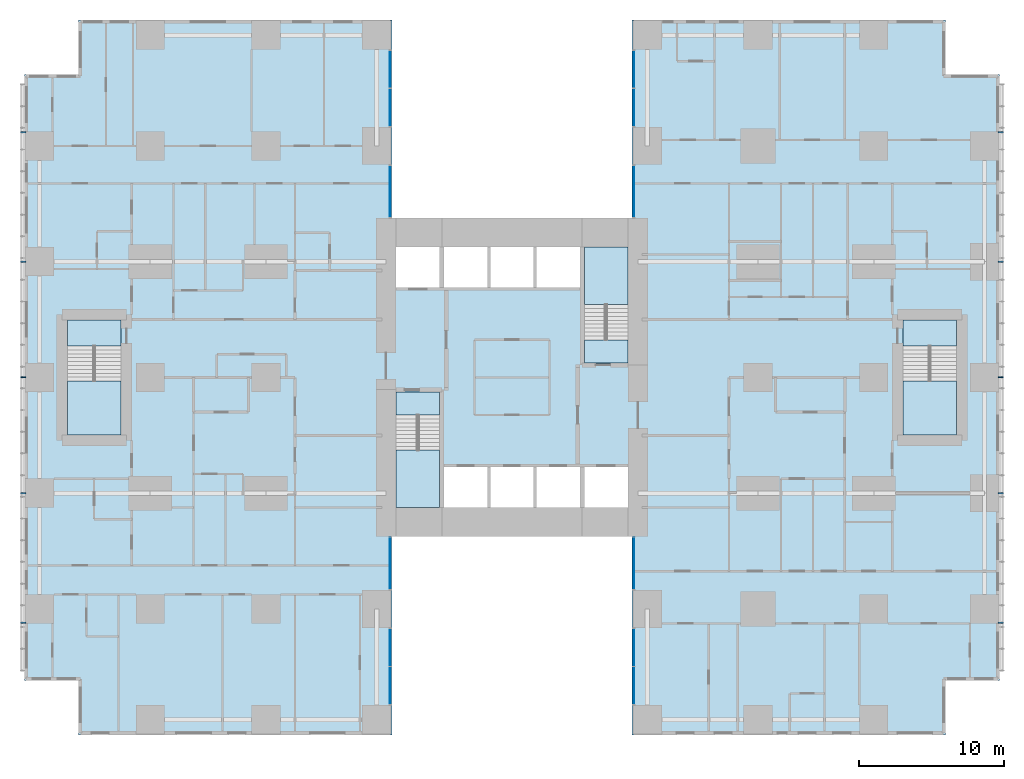
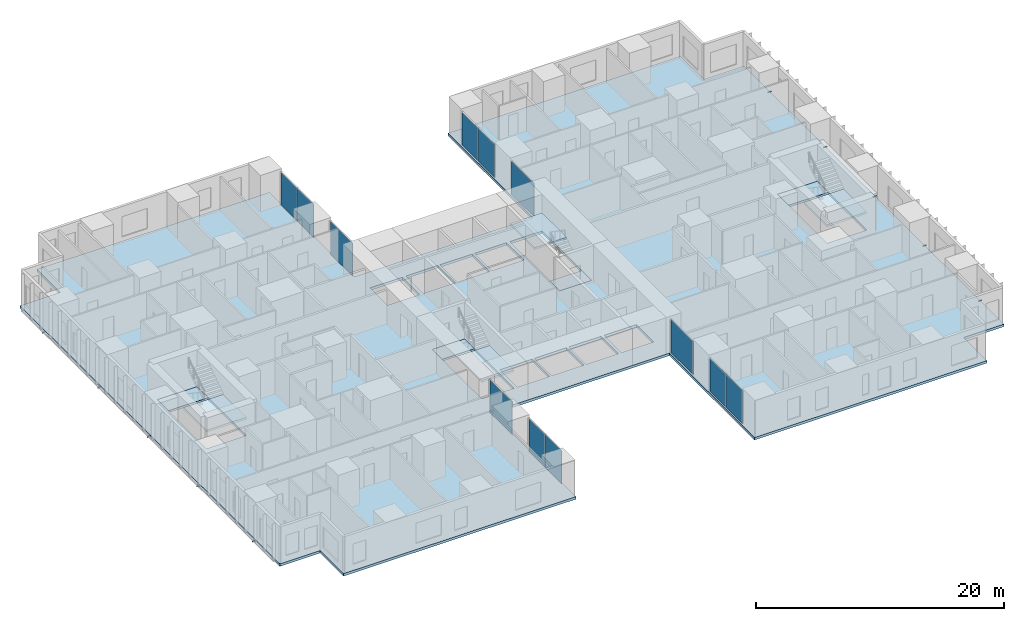
# One storey, part 7 of 20: 12 plates, 10 members, 9 slabs, 12 elements without a shape of their own.
"""IFC4 building model written with IfcOpenShell, lengths in metres."""

from ifc_helpers import new_model, si_unit, direction, frame, origin, origin_2d, place, context, subcontext, project, spatial, polyline, rectangle, hollow_rectangle, outline, extrude, material, layer, layer_set, material_profile, profile_set, type_object, element, aggregate, save


model = new_model("IFC4")

# Units and contexts
model_context = context("Model", 3, precision=1e-05, world=origin(), true_north=direction((0.0, 1.0)))
body_context = subcontext(model_context, "Body", "Model", "MODEL_VIEW")
ifc_project = project(units=[si_unit("LENGTHUNIT", "METRE"), si_unit("AREAUNIT", "SQUARE_METRE"), si_unit("VOLUMEUNIT", "CUBIC_METRE"), si_unit("PLANEANGLEUNIT", "RADIAN"), si_unit("MASSUNIT", "GRAM", prefix="KILO")], contexts=[model_context])

# Site, building, storey
site_placement = place(None, origin())
site = spatial("IfcSite", under=ifc_project, at=site_placement, CompositionType="ELEMENT")
building_placement = place(site_placement, origin())
building = spatial("IfcBuilding", under=site, at=building_placement, Name="Cleftline Residences", CompositionType="ELEMENT")
storey_placement = place(building_placement, frame((0.0, 0.0, 69.199951171875)))
storey = spatial("IfcBuildingStorey", under=building, at=storey_placement, Name="L17", CompositionType="ELEMENT", Elevation=69.199951171875)

# Members
ifc_material_1 = material(Name="Steel S355, hot-dip galvanised", Category="steel")
ifc_material_profile = material_profile(ifc_material_1, hollow_rectangle(XDim=0.10009765625, YDim=0.10009765625, WallThickness=0.008056640625, InnerFilletRadius=0.008056640625, OuterFilletRadius=0.011962890625, at=origin_2d()))
ifc_profile_set = profile_set([ifc_material_profile], Name="Steel S355, hot-dip galvanised")
member_type = type_object("IfcMemberType", Name="BAGUETTE BRACKET SHS 100X100X8", PredefinedType="USERDEFINED", material=ifc_profile_set)
for number, where, z_axis, x_axis, name in (
    (1, (66.60009765625, 7.050048828125, -0.14990234375), (1.0, 0.0, 0.0), (0.0, 1.0, 0.0), "Baguette bracket"),
    (2, (66.60009765625, 16.0, -0.14990234375), (1.0, 0.0, 0.0), (0.0, 1.0, 0.0), "Baguette bracket"),
    (3, (66.60009765625, 24.0, -0.14990234375), (1.0, 0.0, 0.0), (0.0, 1.0, 0.0), "Baguette bracket"),
    (4, (66.60009765625, 32.0, -0.14990234375), (1.0, 0.0, 0.0), (0.0, 1.0, 0.0), "Baguette bracket"),
    (5, (66.60009765625, 40.949951171875, -0.14990234375), (1.0, 0.0, 0.0), (0.0, 1.0, 0.0), "Baguette bracket"),
    (6, (-0.60009765625, 40.949951171875, -0.14990234375), (-1.0, 0.0, 0.0), (0.0, -1.0, 0.0), "Baguette bracket"),
    (7, (-0.60009765625, 32.0, -0.14990234375), (-1.0, 0.0, 0.0), (0.0, -1.0, 0.0), "Baguette bracket"),
    (8, (-0.60009765625, 24.0, -0.14990234375), (-1.0, 0.0, 0.0), (0.0, -1.0, 0.0), "Baguette bracket"),
    (9, (-0.60009765625, 16.0, -0.14990234375), (-1.0, 0.0, 0.0), (0.0, -1.0, 0.0), "Baguette bracket"),
    (10, (-0.60009765625, 7.050048828125, -0.14990234375), (-1.0, 0.0, 0.0), (0.0, -1.0, 0.0), "Baguette bracket"),
):
    element("IfcMember", number, at=place(storey_placement, frame(where, z_axis=z_axis, x_axis=x_axis)), inside=storey, type_object=member_type, Name=name, ObjectType="BAGUETTE BRACKET", PredefinedType="USERDEFINED", context=body_context, shape_type="SweptSolid", body=[
        extrude(hollow_rectangle(XDim=0.10009765625, YDim=0.10009765625, WallThickness=0.008056640625, InnerFilletRadius=0.008056640625, OuterFilletRadius=0.011962890625, at=origin_2d()), origin(), (0.0, 0.0, 1.0), 0.349853515625),
    ])

# Curtain wall, plates
ifc_material_2 = material(Name="Aluminium framed curtain wall", Category="aluminium")
ifc_layer_1 = layer(ifc_material_2, 0.199951171875)
ifc_layer_set_1 = layer_set([ifc_layer_1], Name="CW1 CLEFT GLAZING")
curtain_wall_type = type_object("IfcCurtainWallType", Name="CW1 CLEFT GLAZING", PredefinedType="NOTDEFINED", material=ifc_layer_set_1)
curtain_wall_1_placement = place(storey_placement, origin())
curtain_wall_1 = element("IfcCurtainWall", 11, at=curtain_wall_1_placement, inside=storey, type_object=curtain_wall_type, Name="Curtain wall CW1", PredefinedType="NOTDEFINED")
ifc_material_3 = material(Name="Laminated clear glass", Category="glass")
ifc_layer_2 = layer(ifc_material_3, 0.028076171875)
ifc_layer_set_2 = layer_set([ifc_layer_2], Name="CW1 GLASS PANEL")
plate_type = type_object("IfcPlateType", Name="CW1 GLASS PANEL", PredefinedType="CURTAIN_PANEL", material=ifc_layer_set_2)
plate_1_placement = place(storey_placement, frame((24.574951171875, 2.702392578125, 0.06005859375), z_axis=(0.0, 0.0, 1.0), x_axis=(0.0, 1.0, 0.0)))
plate_1 = element("IfcPlate", 12, at=plate_1_placement, type_object=plate_type, Name="CW1 panel 1.1", PredefinedType="CURTAIN_PANEL", context=body_context, shape_type="SweptSolid", body=[
    extrude(rectangle(XDim=2.5849609375, YDim=0.028076171875, at=origin_2d()), origin(), (0.0, 0.0, 1.0), 3.22998046875),
])
plate_2_placement = place(storey_placement, frame((24.574951171875, 5.347412109375, 0.06005859375), z_axis=(0.0, 0.0, 1.0), x_axis=(0.0, 1.0, 0.0)))
plate_2 = element("IfcPlate", 13, at=plate_2_placement, type_object=plate_type, Name="CW1 panel 2.1", PredefinedType="CURTAIN_PANEL", context=body_context, shape_type="SweptSolid", body=[
    extrude(rectangle(XDim=2.5849609375, YDim=0.028076171875, at=origin_2d()), origin(), (0.0, 0.0, 1.0), 3.22998046875),
])
aggregate(curtain_wall_1, [plate_1, plate_2])

# Curtain wall, plate
curtain_wall_2_placement = place(storey_placement, origin())
curtain_wall_2 = element("IfcCurtainWall", 14, at=curtain_wall_2_placement, inside=storey, type_object=curtain_wall_type, Name="Curtain wall CW1", PredefinedType="NOTDEFINED")
plate_3_placement = place(storey_placement, frame((24.574951171875, 11.14990234375, 0.06005859375), z_axis=(0.0, 0.0, 1.0), x_axis=(0.0, 1.0, 0.0)))
plate_3 = element("IfcPlate", 15, at=plate_3_placement, type_object=plate_type, Name="CW1 panel 1.1", PredefinedType="CURTAIN_PANEL", context=body_context, shape_type="SweptSolid", body=[
    extrude(rectangle(XDim=3.580078125, YDim=0.028076171875, at=origin_2d()), origin(), (0.0, 0.0, 1.0), 3.22998046875),
])
aggregate(curtain_wall_2, [plate_3])

curtain_wall_3_placement = place(storey_placement, origin())
curtain_wall_3 = element("IfcCurtainWall", 16, at=curtain_wall_3_placement, inside=storey, type_object=curtain_wall_type, Name="Curtain wall CW1", PredefinedType="NOTDEFINED")
plate_4_placement = place(storey_placement, frame((41.425048828125, 11.14990234375, 0.06005859375), z_axis=(0.0, 0.0, 1.0), x_axis=(0.0, -1.0, 0.0)))
plate_4 = element("IfcPlate", 17, at=plate_4_placement, type_object=plate_type, Name="CW1 panel 1.1", PredefinedType="CURTAIN_PANEL", context=body_context, shape_type="SweptSolid", body=[
    extrude(rectangle(XDim=3.580078125, YDim=0.028076171875, at=origin_2d()), origin(), (0.0, 0.0, 1.0), 3.22998046875),
])
aggregate(curtain_wall_3, [plate_4])

# Curtain wall, plates
curtain_wall_4_placement = place(storey_placement, origin())
curtain_wall_4 = element("IfcCurtainWall", 18, at=curtain_wall_4_placement, inside=storey, type_object=curtain_wall_type, Name="Curtain wall CW1", PredefinedType="NOTDEFINED")
plate_5_placement = place(storey_placement, frame((41.425048828125, 5.347412109375, 0.06005859375), z_axis=(0.0, 0.0, 1.0), x_axis=(0.0, -1.0, 0.0)))
plate_5 = element("IfcPlate", 19, at=plate_5_placement, type_object=plate_type, Name="CW1 panel 1.1", PredefinedType="CURTAIN_PANEL", context=body_context, shape_type="SweptSolid", body=[
    extrude(rectangle(XDim=2.5849609375, YDim=0.028076171875, at=origin_2d()), origin(), (0.0, 0.0, 1.0), 3.22998046875),
])
plate_6_placement = place(storey_placement, frame((41.425048828125, 2.702392578125, 0.06005859375), z_axis=(0.0, 0.0, 1.0), x_axis=(0.0, -1.0, 0.0)))
plate_6 = element("IfcPlate", 20, at=plate_6_placement, type_object=plate_type, Name="CW1 panel 2.1", PredefinedType="CURTAIN_PANEL", context=body_context, shape_type="SweptSolid", body=[
    extrude(rectangle(XDim=2.5849609375, YDim=0.028076171875, at=origin_2d()), origin(), (0.0, 0.0, 1.0), 3.22998046875),
])
aggregate(curtain_wall_4, [plate_5, plate_6])

curtain_wall_5_placement = place(storey_placement, origin())
curtain_wall_5 = element("IfcCurtainWall", 21, at=curtain_wall_5_placement, inside=storey, type_object=curtain_wall_type, Name="Curtain wall CW1", PredefinedType="NOTDEFINED")
plate_7_placement = place(storey_placement, frame((41.425048828125, 45.297607421875, 0.06005859375), z_axis=(0.0, 0.0, 1.0), x_axis=(0.0, -1.0, 0.0)))
plate_7 = element("IfcPlate", 22, at=plate_7_placement, type_object=plate_type, Name="CW1 panel 1.1", PredefinedType="CURTAIN_PANEL", context=body_context, shape_type="SweptSolid", body=[
    extrude(rectangle(XDim=2.5849609375, YDim=0.028076171875, at=origin_2d()), origin(), (0.0, 0.0, 1.0), 3.22998046875),
])
plate_8_placement = place(storey_placement, frame((41.425048828125, 42.652587890625, 0.06005859375), z_axis=(0.0, 0.0, 1.0), x_axis=(0.0, -1.0, 0.0)))
plate_8 = element("IfcPlate", 23, at=plate_8_placement, type_object=plate_type, Name="CW1 panel 2.1", PredefinedType="CURTAIN_PANEL", context=body_context, shape_type="SweptSolid", body=[
    extrude(rectangle(XDim=2.5849609375, YDim=0.028076171875, at=origin_2d()), origin(), (0.0, 0.0, 1.0), 3.22998046875),
])
aggregate(curtain_wall_5, [plate_7, plate_8])

# Curtain wall, plate
curtain_wall_6_placement = place(storey_placement, origin())
curtain_wall_6 = element("IfcCurtainWall", 24, at=curtain_wall_6_placement, inside=storey, type_object=curtain_wall_type, Name="Curtain wall CW1", PredefinedType="NOTDEFINED")
plate_9_placement = place(storey_placement, frame((41.425048828125, 36.85009765625, 0.06005859375), z_axis=(0.0, 0.0, 1.0), x_axis=(0.0, -1.0, 0.0)))
plate_9 = element("IfcPlate", 25, at=plate_9_placement, type_object=plate_type, Name="CW1 panel 1.1", PredefinedType="CURTAIN_PANEL", context=body_context, shape_type="SweptSolid", body=[
    extrude(rectangle(XDim=3.580078125, YDim=0.028076171875, at=origin_2d()), origin(), (0.0, 0.0, 1.0), 3.22998046875),
])
aggregate(curtain_wall_6, [plate_9])

curtain_wall_7_placement = place(storey_placement, origin())
curtain_wall_7 = element("IfcCurtainWall", 26, at=curtain_wall_7_placement, inside=storey, type_object=curtain_wall_type, Name="Curtain wall CW1", PredefinedType="NOTDEFINED")
plate_10_placement = place(storey_placement, frame((24.574951171875, 36.85009765625, 0.06005859375), z_axis=(0.0, 0.0, 1.0), x_axis=(0.0, 1.0, 0.0)))
plate_10 = element("IfcPlate", 27, at=plate_10_placement, type_object=plate_type, Name="CW1 panel 1.1", PredefinedType="CURTAIN_PANEL", context=body_context, shape_type="SweptSolid", body=[
    extrude(rectangle(XDim=3.580078125, YDim=0.028076171875, at=origin_2d()), origin(), (0.0, 0.0, 1.0), 3.22998046875),
])
aggregate(curtain_wall_7, [plate_10])

# Curtain wall, plates
curtain_wall_8_placement = place(storey_placement, origin())
curtain_wall_8 = element("IfcCurtainWall", 28, at=curtain_wall_8_placement, inside=storey, type_object=curtain_wall_type, Name="Curtain wall CW1", PredefinedType="NOTDEFINED")
plate_11_placement = place(storey_placement, frame((24.574951171875, 42.652587890625, 0.06005859375), z_axis=(0.0, 0.0, 1.0), x_axis=(0.0, 1.0, 0.0)))
plate_11 = element("IfcPlate", 29, at=plate_11_placement, type_object=plate_type, Name="CW1 panel 1.1", PredefinedType="CURTAIN_PANEL", context=body_context, shape_type="SweptSolid", body=[
    extrude(rectangle(XDim=2.5849609375, YDim=0.028076171875, at=origin_2d()), origin(), (0.0, 0.0, 1.0), 3.22998046875),
])
plate_12_placement = place(storey_placement, frame((24.574951171875, 45.297607421875, 0.06005859375), z_axis=(0.0, 0.0, 1.0), x_axis=(0.0, 1.0, 0.0)))
plate_12 = element("IfcPlate", 30, at=plate_12_placement, type_object=plate_type, Name="CW1 panel 2.1", PredefinedType="CURTAIN_PANEL", context=body_context, shape_type="SweptSolid", body=[
    extrude(rectangle(XDim=2.5849609375, YDim=0.028076171875, at=origin_2d()), origin(), (0.0, 0.0, 1.0), 3.22998046875),
])
aggregate(curtain_wall_8, [plate_11, plate_12])

# Slab
ifc_material_4 = material(Name="Concrete B45", Category="concrete")
ifc_layer_3 = layer(ifc_material_4, 0.25)
ifc_layer_set_3 = layer_set([ifc_layer_3], Name="FLOOR SLAB 250")
slab_type_1 = type_object("IfcSlabType", Name="FLOOR SLAB 250", PredefinedType="FLOOR", material=ifc_layer_set_3)
slab_1_placement = place(storey_placement, frame((0.0, 0.0, -0.25)))
element("IfcSlab", 31, at=slab_1_placement, inside=storey, type_object=slab_type_1, Name="Floor slab L17", PredefinedType="FLOOR", context=body_context, shape_type="SweptSolid", body=[
    extrude(outline(polyline([(24.699951171875, 13.0), (41.300048828125, 13.0), (41.300048828125, -0.699951171875), (62.949951171875, -0.699951171875), (62.949951171875, 3.050048828125), (66.699951171875, 3.050048828125), (66.699951171875, 44.949951171875), (62.949951171875, 44.949951171875), (62.949951171875, 48.699951171875), (41.300048828125, 48.699951171875), (41.300048828125, 35.0), (24.699951171875, 35.0), (24.699951171875, 48.699951171875), (3.050048828125, 48.699951171875), (3.050048828125, 44.949951171875), (-0.699951171875, 44.949951171875), (-0.699951171875, 3.050048828125), (3.050048828125, 3.050048828125), (3.050048828125, -0.699951171875), (24.699951171875, -0.699951171875), (24.699951171875, 13.0)]), holes=[polyline([(28.0, 15.0), (28.0, 23.0), (25.0, 23.0), (25.0, 15.0), (28.0, 15.0)]), polyline([(41.0, 25.0), (41.0, 33.0), (38.0, 33.0), (38.0, 25.0), (41.0, 25.0)]), polyline([(28.0, 30.199951171875), (28.0, 33.0), (25.0, 33.0), (25.0, 30.199951171875), (28.0, 30.199951171875)]), polyline([(41.0, 15.0), (41.0, 17.800048828125), (38.0, 17.800048828125), (38.0, 15.0), (41.0, 15.0)]), polyline([(31.300048828125, 15.0), (31.300048828125, 17.800048828125), (28.300048828125, 17.800048828125), (28.300048828125, 15.0), (31.300048828125, 15.0)]), polyline([(34.5, 15.0), (34.5, 17.800048828125), (31.5, 17.800048828125), (31.5, 15.0), (34.5, 15.0)]), polyline([(37.699951171875, 15.0), (37.699951171875, 17.800048828125), (34.699951171875, 17.800048828125), (34.699951171875, 15.0), (37.699951171875, 15.0)]), polyline([(31.300048828125, 30.199951171875), (31.300048828125, 33.0), (28.300048828125, 33.0), (28.300048828125, 30.199951171875), (31.300048828125, 30.199951171875)]), polyline([(34.5, 30.199951171875), (34.5, 33.0), (31.5, 33.0), (31.5, 30.199951171875), (34.5, 30.199951171875)]), polyline([(37.699951171875, 30.199951171875), (37.699951171875, 33.0), (34.699951171875, 33.0), (34.699951171875, 30.199951171875), (37.699951171875, 30.199951171875)]), polyline([(63.72509765625, 20.02490234375), (63.72509765625, 27.97509765625), (60.02490234375, 27.97509765625), (60.02490234375, 20.02490234375), (63.72509765625, 20.02490234375)]), polyline([(5.97509765625, 20.02490234375), (5.97509765625, 27.97509765625), (2.27490234375, 27.97509765625), (2.27490234375, 20.02490234375), (5.97509765625, 20.02490234375)])]), origin(), (0.0, 0.0, 1.0), 0.25),
])

# Stair, slabs
ifc_material_5 = material(Name="Concrete B45, stone treads", Category="masonry")
stair_type_1 = type_object("IfcStairType", Name="STAIR A 1450 WIDE 180 RISER", PredefinedType="HALF_TURN_STAIR", material=ifc_material_5)
stair_1_placement = place(storey_placement, origin())
stair_1 = element("IfcStair", 32, at=stair_1_placement, inside=storey, type_object=stair_type_1, Name="Stair A L17", PredefinedType="HALF_TURN_STAIR")
ifc_material_6 = material(Name="Concrete B45", Category="concrete")
ifc_layer_4 = layer(ifc_material_6, 0.199951171875)
ifc_layer_set_4 = layer_set([ifc_layer_4], Name="STAIR LANDING 200")
slab_type_2 = type_object("IfcSlabType", Name="STAIR LANDING 200", PredefinedType="LANDING", material=ifc_layer_set_4)
slab_2_placement = place(storey_placement, frame((0.0, 0.0, -0.199951171875)))
slab_2 = element("IfcSlab", 33, at=slab_2_placement, type_object=slab_type_2, Name="ST-A landing 1", PredefinedType="LANDING", context=body_context, shape_type="SweptSolid", body=[
    extrude(outline(polyline([(25.0, 21.39990234375), (28.0, 21.39990234375), (28.0, 23.0), (25.0, 23.0), (25.0, 21.39990234375)])), origin(), (0.0, 0.0, 1.0), 0.199951171875),
])
slab_3_placement = place(storey_placement, frame((0.0, 0.0, 1.60009765625)))
slab_3 = element("IfcSlab", 34, at=slab_3_placement, type_object=slab_type_2, Name="ST-A landing 2", PredefinedType="LANDING", context=body_context, shape_type="SweptSolid", body=[
    extrude(outline(polyline([(25.0, 15.0), (28.0, 15.0), (28.0, 18.969970703125), (25.0, 18.969970703125), (25.0, 15.0)])), origin(), (0.0, 0.0, 1.0), 0.199951171875),
])
aggregate(stair_1, [slab_2, slab_3])

ifc_material_7 = material(Name="Concrete B45, stone treads", Category="masonry")
stair_type_2 = type_object("IfcStairType", Name="STAIR B 1450 WIDE 180 RISER", PredefinedType="HALF_TURN_STAIR", material=ifc_material_7)
stair_2_placement = place(storey_placement, origin())
stair_2 = element("IfcStair", 35, at=stair_2_placement, inside=storey, type_object=stair_type_2, Name="Stair B L17", PredefinedType="HALF_TURN_STAIR")
slab_4_placement = place(storey_placement, frame((0.0, 0.0, -0.199951171875)))
slab_4 = element("IfcSlab", 36, at=slab_4_placement, type_object=slab_type_2, Name="ST-B landing 1", PredefinedType="LANDING", context=body_context, shape_type="SweptSolid", body=[
    extrude(outline(polyline([(38.0, 25.0), (41.0, 25.0), (41.0, 26.60009765625), (38.0, 26.60009765625), (38.0, 25.0)])), origin(), (0.0, 0.0, 1.0), 0.199951171875),
])
slab_5_placement = place(storey_placement, frame((0.0, 0.0, 1.60009765625)))
slab_5 = element("IfcSlab", 37, at=slab_5_placement, type_object=slab_type_2, Name="ST-B landing 2", PredefinedType="LANDING", context=body_context, shape_type="SweptSolid", body=[
    extrude(outline(polyline([(38.0, 29.030029296875), (41.0, 29.030029296875), (41.0, 33.0), (38.0, 33.0), (38.0, 29.030029296875)])), origin(), (0.0, 0.0, 1.0), 0.199951171875),
])
aggregate(stair_2, [slab_4, slab_5])

ifc_material_8 = material(Name="Concrete B45, stone treads", Category="masonry")
stair_type_3 = type_object("IfcStairType", Name="STAIR E 1800 WIDE 180 RISER", PredefinedType="HALF_TURN_STAIR", material=ifc_material_8)
stair_3_placement = place(storey_placement, origin())
stair_3 = element("IfcStair", 38, at=stair_3_placement, inside=storey, type_object=stair_type_3, Name="Stair E L17", PredefinedType="HALF_TURN_STAIR")
slab_6_placement = place(storey_placement, frame((0.0, 0.0, -0.199951171875)))
slab_6 = element("IfcSlab", 39, at=slab_6_placement, type_object=slab_type_2, Name="ST-E landing 1", PredefinedType="LANDING", context=body_context, shape_type="SweptSolid", body=[
    extrude(outline(polyline([(60.02490234375, 26.175048828125), (63.72509765625, 26.175048828125), (63.72509765625, 27.97509765625), (60.02490234375, 27.97509765625), (60.02490234375, 26.175048828125)])), origin(), (0.0, 0.0, 1.0), 0.199951171875),
])
slab_7_placement = place(storey_placement, frame((0.0, 0.0, 1.60009765625)))
slab_7 = element("IfcSlab", 40, at=slab_7_placement, type_object=slab_type_2, Name="ST-E landing 2", PredefinedType="LANDING", context=body_context, shape_type="SweptSolid", body=[
    extrude(outline(polyline([(60.02490234375, 20.02490234375), (63.72509765625, 20.02490234375), (63.72509765625, 23.7451171875), (60.02490234375, 23.7451171875), (60.02490234375, 20.02490234375)])), origin(), (0.0, 0.0, 1.0), 0.199951171875),
])
aggregate(stair_3, [slab_6, slab_7])

ifc_material_9 = material(Name="Concrete B45, stone treads", Category="masonry")
stair_type_4 = type_object("IfcStairType", Name="STAIR W 1800 WIDE 180 RISER", PredefinedType="HALF_TURN_STAIR", material=ifc_material_9)
stair_4_placement = place(storey_placement, origin())
stair_4 = element("IfcStair", 41, at=stair_4_placement, inside=storey, type_object=stair_type_4, Name="Stair W L17", PredefinedType="HALF_TURN_STAIR")
slab_8_placement = place(storey_placement, frame((0.0, 0.0, -0.199951171875)))
slab_8 = element("IfcSlab", 42, at=slab_8_placement, type_object=slab_type_2, Name="ST-W landing 1", PredefinedType="LANDING", context=body_context, shape_type="SweptSolid", body=[
    extrude(outline(polyline([(2.27490234375, 26.175048828125), (5.97509765625, 26.175048828125), (5.97509765625, 27.97509765625), (2.27490234375, 27.97509765625), (2.27490234375, 26.175048828125)])), origin(), (0.0, 0.0, 1.0), 0.199951171875),
])
slab_9_placement = place(storey_placement, frame((0.0, 0.0, 1.60009765625)))
slab_9 = element("IfcSlab", 43, at=slab_9_placement, type_object=slab_type_2, Name="ST-W landing 2", PredefinedType="LANDING", context=body_context, shape_type="SweptSolid", body=[
    extrude(outline(polyline([(2.27490234375, 20.02490234375), (5.97509765625, 20.02490234375), (5.97509765625, 23.7451171875), (2.27490234375, 23.7451171875), (2.27490234375, 20.02490234375)])), origin(), (0.0, 0.0, 1.0), 0.199951171875),
])
aggregate(stair_4, [slab_8, slab_9])

save(model, "model.ifc")
